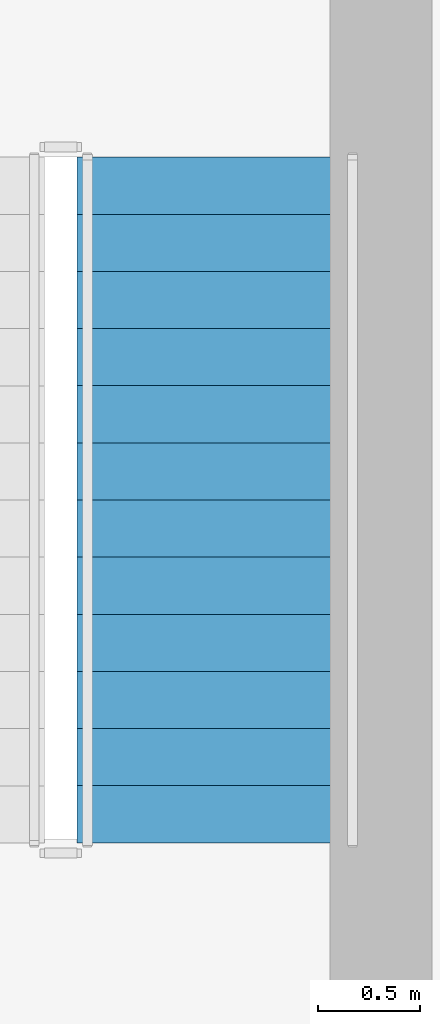
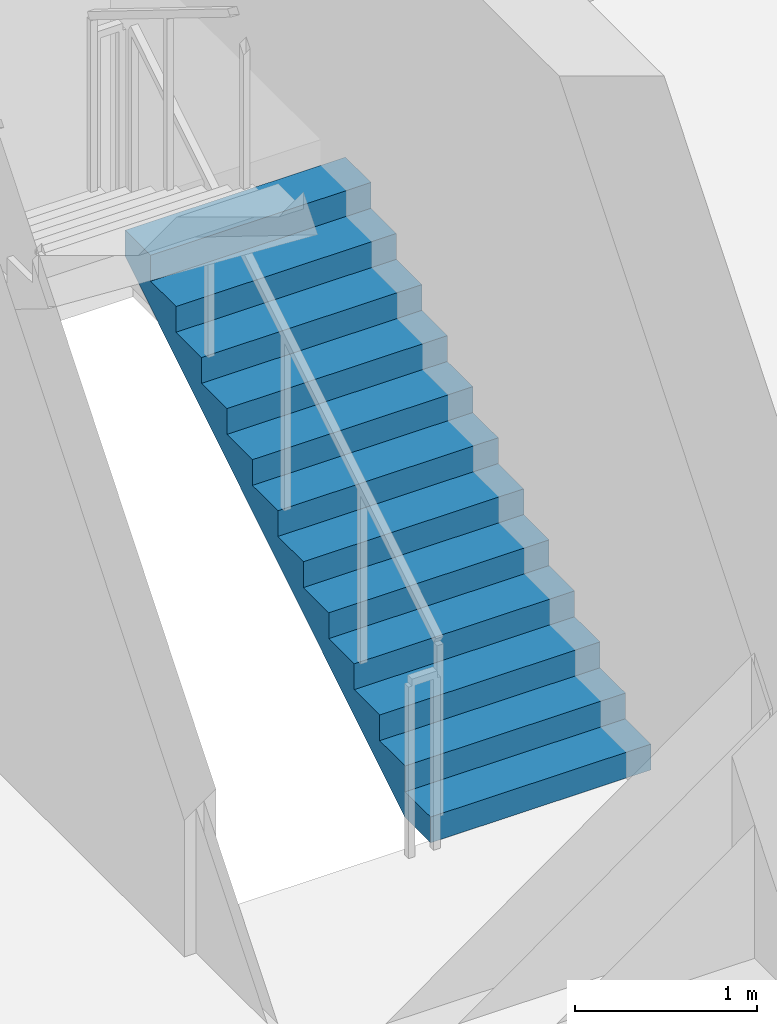
# One storey, part 5 of 11: 1 stair flight, 1 element without a shape of its own.
"""IFC4 building model written with IfcOpenShell, lengths in metres."""

import ifcopenshell
import ifcopenshell.guid

model = None  # the IFC model being written
_history = None  # IfcOwnerHistory: only IFC2X3 demands one
_inside = {}  # id of a spatial element -> (the spatial element, [elements in it])
_under = {}  # id of a project, library or spatial element -> (it, [spatial elements below it])
_declared = {}  # id of a project -> (the project, [libraries it declares])
_typed = {}  # id of a type object -> (the type object, [elements of that type])
_made_of = {}  # id of a material, layer set ... -> (it, [elements and type objects made of it])


def new_model(schema):
    """Start an empty IFC model of exactly this schema.

    Asked for "IFC4X3", IfcOpenShell would pick the latest addendum, in which some entities
    have other attributes; the version numbers below select the first issue.
    IFC2X3 requires an IfcOwnerHistory on every rooted entity: one is made here for all.
    """
    global model, _history
    if schema == "IFC4X3":
        model = ifcopenshell.file(schema_version=(4, 3, 0, 0))
    else:
        model = ifcopenshell.file(schema=schema)
    _inside.clear()
    _under.clear()
    _declared.clear()
    _typed.clear()
    _made_of.clear()
    _history = None
    if model.schema == "IFC2X3":
        org = make("IfcOrganization", Name="unknown")
        user = make(
            "IfcPersonAndOrganization",
            ThePerson=make("IfcPerson", FamilyName="unknown"),
            TheOrganization=org,
        )
        app = make(
            "IfcApplication",
            ApplicationDeveloper=org,
            Version="unknown",
            ApplicationFullName="unknown",
            ApplicationIdentifier="unknown",
        )
        _history = make(
            "IfcOwnerHistory",
            OwningUser=user,
            OwningApplication=app,
            ChangeAction="ADDED",
            CreationDate=0,
        )
    return model


def make(cls, **values):
    """One entity of the class cls with the attributes given. An attribute that is None is left unset."""
    return model.create_entity(
        cls, **{name: value for name, value in values.items() if value is not None}
    )


def rooted(cls, **values):
    """An entity with a GlobalId (a new one), such as an element, a storey or a relation."""
    return make(cls, GlobalId=ifcopenshell.guid.new(), OwnerHistory=_history, **values)


def si_unit(unit_type, name, prefix=None):
    """IfcSIUnit, for example si_unit("LENGTHUNIT", "METRE", prefix="MILLI")."""
    return make("IfcSIUnit", UnitType=unit_type, Prefix=prefix, Name=name)


def assignment(units):
    """IfcUnitAssignment: the units of a project."""
    return None if units is None else make("IfcUnitAssignment", Units=units)


def point(xyz):
    """IfcCartesianPoint."""
    return None if xyz is None else make("IfcCartesianPoint", Coordinates=xyz)


def direction(xyz):
    """IfcDirection."""
    return None if xyz is None else make("IfcDirection", DirectionRatios=xyz)


def frame(location, z_axis=None, x_axis=None):
    """IfcAxis2Placement3D, a coordinate frame: its origin and axes. An axis left out is left unset."""
    return make(
        "IfcAxis2Placement3D",
        Location=point(location),
        Axis=direction(z_axis),
        RefDirection=direction(x_axis),
    )


def origin():
    """The frame at (0, 0, 0) with its axes left unset."""
    return frame((0.0, 0.0, 0.0))


def place(relative_to, where):
    """IfcLocalPlacement: puts the frame where relative to a parent placement (None: the world)."""
    return make(
        "IfcLocalPlacement", PlacementRelTo=relative_to, RelativePlacement=where
    )


def context(
    kind, dimensions, precision=None, world=None, true_north=None, identifier=None
):
    """IfcGeometricRepresentationContext, for example the 3D "Model" context."""
    return make(
        "IfcGeometricRepresentationContext",
        ContextIdentifier=identifier,
        ContextType=kind,
        CoordinateSpaceDimension=dimensions,
        Precision=precision,
        WorldCoordinateSystem=world,
        TrueNorth=true_north,
    )


def subcontext(parent, identifier, kind, view, scale=None):
    """IfcGeometricRepresentationSubContext, for example "Body" below "Model"."""
    return make(
        "IfcGeometricRepresentationSubContext",
        ContextIdentifier=identifier,
        ContextType=kind,
        ParentContext=parent,
        TargetScale=scale,
        TargetView=view,
    )


def project(units=None, contexts=None):
    """IfcProject with its units and contexts."""
    return rooted(
        "IfcProject",
        Name="project",
        RepresentationContexts=contexts,
        UnitsInContext=assignment(units),
    )


def spatial(cls, under=None, at=None, **own):
    """A site, building, storey or space (cls), placed at a placement, below another one or the project."""
    s = rooted(cls, ObjectPlacement=at, **own)
    if under is not None:
        _under.setdefault(under.id(), (under, []))[1].append(s)
    return s


def polyline(points):
    """IfcPolyline through the points."""
    return make("IfcPolyline", Points=[point(p) for p in points])


def outline(outer, holes=None, kind="AREA"):
    """IfcArbitraryClosedProfileDef: a profile drawn as a closed curve; with holes, ...WithVoids."""
    if holes is None:
        return make("IfcArbitraryClosedProfileDef", ProfileType=kind, OuterCurve=outer)
    return make(
        "IfcArbitraryProfileDefWithVoids",
        ProfileType=kind,
        OuterCurve=outer,
        InnerCurves=holes,
    )


def extrude(swept, where, along, depth):
    """IfcExtrudedAreaSolid: the profile swept, set in the frame where, extruded along a direction by depth."""
    return make(
        "IfcExtrudedAreaSolid",
        SweptArea=swept,
        Position=where,
        ExtrudedDirection=direction(along),
        Depth=depth,
    )


def shape(context_of_items, identifier, shape_type, items):
    """IfcShapeRepresentation: the items that make up one representation, for example the "Body"."""
    return make(
        "IfcShapeRepresentation",
        ContextOfItems=context_of_items,
        RepresentationIdentifier=identifier,
        RepresentationType=shape_type,
        Items=items,
    )


def material(Name=None, Category=None):
    """IfcMaterial."""
    return make("IfcMaterial", Name=Name, Category=Category)


def made_of(thing, what):
    """Note that an element or type object is made of a material, layer set ...; save() writes the relation."""
    if what is not None:
        _made_of.setdefault(what.id(), (what, []))[1].append(thing)
    return thing


def type_object(cls, material=None, **own):
    """A type object (cls), such as IfcWallType, which elements share."""
    return made_of(rooted(cls, **own), material)


def element(
    cls,
    number,
    at=None,
    inside=None,
    cuts=None,
    type_object=None,
    material=None,
    context=None,
    identifier="Body",
    shape_type=None,
    held_by="IfcProductDefinitionShape",
    body=None,
    shapes=None,
    **own,
):
    """One element of the class cls, such as IfcWall. Its Tag is "e" and its number.

    at: its placement. inside: the storey or other place that contains it. cuts: it is an
    opening in that element (IfcRelVoidsElement). A single representation is given by context,
    identifier, shape_type and body (its items); several are given by shapes. held_by: the class
    of the entity that holds the representations. save() writes the other relations.
    """
    e = rooted(cls, Tag="e%d" % number, ObjectPlacement=at, **own)
    if body is not None:
        shapes = [shape(context, identifier, shape_type, body)]
    if shapes is not None:
        e.Representation = make(held_by, Representations=shapes)
    if inside is not None:
        _inside.setdefault(inside.id(), (inside, []))[1].append(e)
    if cuts is not None:
        rooted(
            "IfcRelVoidsElement", RelatingBuildingElement=cuts, RelatedOpeningElement=e
        )
    if type_object is not None:
        _typed.setdefault(type_object.id(), (type_object, []))[1].append(e)
    return made_of(e, material)


def aggregate(whole, parts):
    """IfcRelAggregates: a whole, such as a stair, and the parts it consists of."""
    return rooted("IfcRelAggregates", RelatingObject=whole, RelatedObjects=parts)


def save(model, path):
    """Write the relations noted so far, then the file.

    IfcRelAggregates (storeys below a building ...), IfcRelContainedInSpatialStructure (elements
    in a storey), IfcRelDefinesByType, IfcRelAssociatesMaterial and IfcRelDeclares: one each for
    every whole, place, type object, material and project.
    """
    for whole, parts in _under.values():
        aggregate(whole, parts)
    for where, things in _inside.values():
        rooted(
            "IfcRelContainedInSpatialStructure",
            RelatedElements=things,
            RelatingStructure=where,
        )
    for kind, things in _typed.values():
        rooted("IfcRelDefinesByType", RelatedObjects=things, RelatingType=kind)
    for what, things in _made_of.values():
        rooted("IfcRelAssociatesMaterial", RelatedObjects=things, RelatingMaterial=what)
    for by, libraries in _declared.values():
        rooted("IfcRelDeclares", RelatingContext=by, RelatedDefinitions=libraries)
    model.write(path)


model = new_model("IFC4")

# Units and contexts
model_context = context("Model", 3, precision=1e-05, world=origin(), true_north=direction((0.0, 1.0)))
body_context = subcontext(model_context, "Body", "Model", "MODEL_VIEW")
ifc_project = project(units=[si_unit("LENGTHUNIT", "METRE"), si_unit("AREAUNIT", "SQUARE_METRE"), si_unit("VOLUMEUNIT", "CUBIC_METRE"), si_unit("PLANEANGLEUNIT", "RADIAN"), si_unit("MASSUNIT", "GRAM", prefix="KILO")], contexts=[model_context])

# Site, building, storey
site_placement = place(None, origin())
site = spatial("IfcSite", under=ifc_project, at=site_placement, CompositionType="ELEMENT")
building_placement = place(site_placement, origin())
building = spatial("IfcBuilding", under=site, at=building_placement, Name="Giltprow Tower", CompositionType="ELEMENT")
storey_placement = place(building_placement, frame((0.0, 0.0, 191.199951171875)))
storey = spatial("IfcBuildingStorey", under=building, at=storey_placement, Name="L48", CompositionType="ELEMENT", Elevation=191.199951171875)

# Stair, stair flight
ifc_material = material(Name="Concrete C40", Category="concrete")
stair_type = type_object("IfcStairType", Name="STR-ST-3", PredefinedType="HALF_TURN_STAIR", material=ifc_material)
stair_placement = place(storey_placement, origin())
stair = element("IfcStair", 1, at=stair_placement, inside=storey, type_object=stair_type, Name="L48 Core Exit Stair ST-3", PredefinedType="HALF_TURN_STAIR")
stair_flight_type = type_object("IfcStairFlightType", Name="SFL-ST-3", PredefinedType="STRAIGHT", material=ifc_material)
stair_flight_placement = place(storey_placement, frame((49.760009765625, 39.550048828125, 0.0), z_axis=(0.0, 0.0, 1.0), x_axis=(0.0, 1.0, 0.0)))
stair_flight = element("IfcStairFlight", 2, at=stair_flight_placement, type_object=stair_flight_type, Name="ST-3 flight 1", NumberOfRisers=13, NumberOfTreads=12, PredefinedType="STRAIGHT", RiserHeight=0.173076923, TreadLength=0.28, context=body_context, shape_type="SweptSolid", body=[
    extrude(outline(polyline([(0.0, 0.0), (0.0, 0.173095703125), (0.280029296875, 0.173095703125), (0.280029296875, 0.34619140625), (0.56005859375, 0.34619140625), (0.56005859375, 0.519287109375), (0.840087890625, 0.519287109375), (0.840087890625, 0.6923828125), (1.1201171875, 0.6923828125), (1.1201171875, 0.865478515625), (1.39990234375, 0.865478515625), (1.39990234375, 1.03857421875), (1.679931640625, 1.03857421875), (1.679931640625, 1.21142578125), (1.9599609375, 1.21142578125), (1.9599609375, 1.384521484375), (2.239990234375, 1.384521484375), (2.239990234375, 1.5576171875), (2.52001953125, 1.5576171875), (2.52001953125, 1.730712890625), (2.800048828125, 1.730712890625), (2.800048828125, 1.90380859375), (3.080078125, 1.90380859375), (3.080078125, 2.076904296875), (3.360107421875, 2.076904296875), (3.360107421875, 2.25), (3.360107421875, 1.900634765625), (0.28515625, 0.0), (0.0, 0.0)])), frame((0.0, 0.699951171875, 0.0), z_axis=(0.0, -1.0, 0.0), x_axis=(1.0, 0.0, 0.0)), (0.0, 0.0, 1.0), 1.39990234375),
])
aggregate(stair, [stair_flight])

save(model, "model.ifc")
